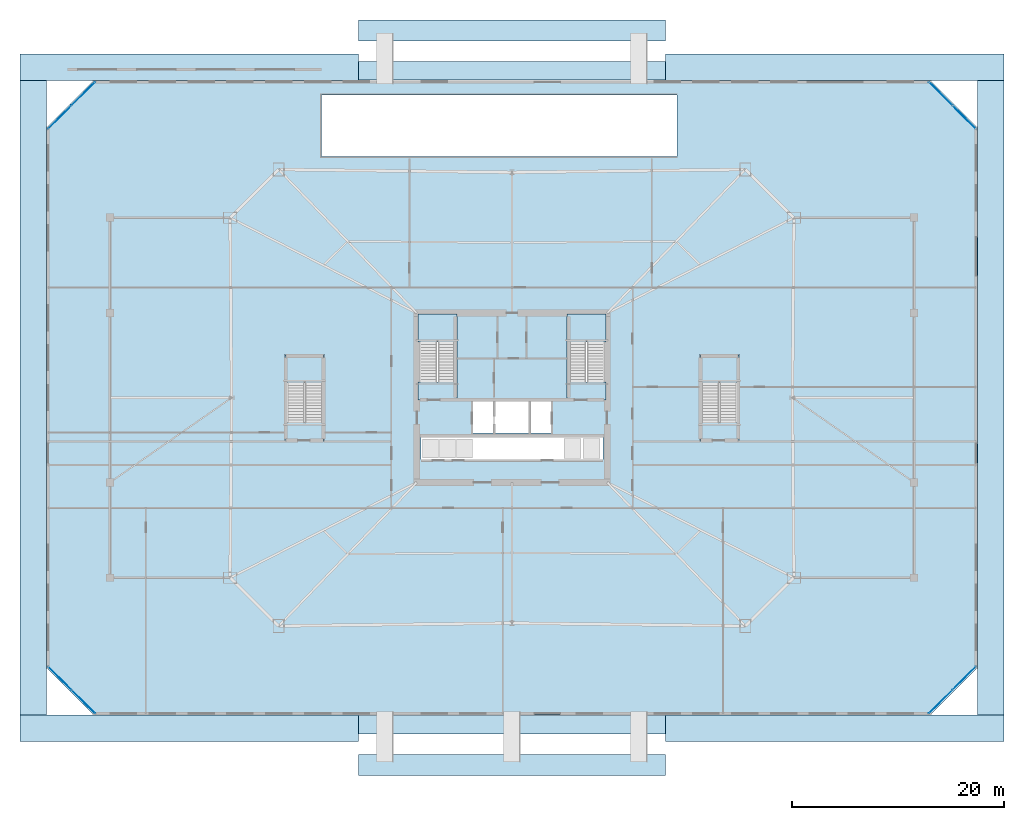
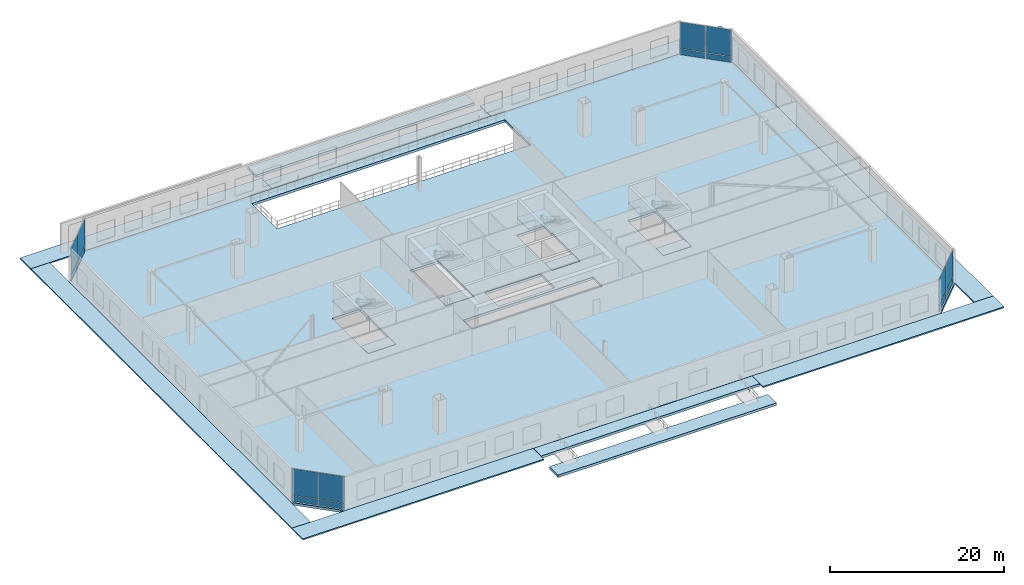
# One storey, part 11 of 23: 19 slabs, 16 plates, 8 elements without a shape of their own.
"""IFC4 building model written with IfcOpenShell, lengths in metres."""

from ifc_helpers import new_model, si_unit, direction, frame, origin, origin_2d, place, context, subcontext, project, spatial, polyline, rectangle, outline, extrude, material, layer, layer_set, type_object, element, aggregate, save


model = new_model("IFC4")

# Units and contexts
model_context = context("Model", 3, precision=1e-05, world=origin(), true_north=direction((0.0, 1.0)))
body_context = subcontext(model_context, "Body", "Model", "MODEL_VIEW")
ifc_project = project(units=[si_unit("LENGTHUNIT", "METRE"), si_unit("AREAUNIT", "SQUARE_METRE"), si_unit("VOLUMEUNIT", "CUBIC_METRE"), si_unit("PLANEANGLEUNIT", "RADIAN"), si_unit("MASSUNIT", "GRAM", prefix="KILO")], contexts=[model_context])

# Site, building, storey
site_placement = place(None, origin())
site = spatial("IfcSite", under=ifc_project, at=site_placement, CompositionType="ELEMENT")
building_placement = place(site_placement, origin())
building = spatial("IfcBuilding", under=site, at=building_placement, Name="Caelvoria Tower", CompositionType="ELEMENT")
storey_placement = place(building_placement, origin())
storey = spatial("IfcBuildingStorey", under=building, at=storey_placement, Name="L00", CompositionType="ELEMENT", Elevation=0.0)

# Curtain wall, plates
ifc_material_1 = material(Name="Anodised Bronze Aluminium and Low-E Glass", Category="aluminium")
ifc_layer_1 = layer(ifc_material_1, 0.199951171875, Name="Anodised Bronze Aluminium and Low-E Glass")
ifc_layer_set_1 = layer_set([ifc_layer_1], Name="CW System 1 Podium Arcade Unitised Glazing - Anodised Bronze Aluminium and Low-E Glass")
curtain_wall_type = type_object("IfcCurtainWallType", Name="CW System 1 Podium Arcade Unitised Glazing", PredefinedType="NOTDEFINED", material=ifc_layer_set_1)
curtain_wall_1_placement = place(storey_placement, origin())
curtain_wall_1 = element("IfcCurtainWall", 1, at=curtain_wall_1_placement, inside=storey, type_object=curtain_wall_type, Name="CW-01 Curtain Wall L00-E1", PredefinedType="NOTDEFINED")
ifc_material_2 = material(Name="Tinted Low-E Insulated Glazing Unit", Category="glass")
ifc_layer_2 = layer(ifc_material_2, 0.028076171875, Name="Tinted Low-E Insulated Glazing Unit")
ifc_layer_set_2 = layer_set([ifc_layer_2], Name="Double-Glazed Solar-Control Vision Panel 28 - Tinted Low-E Insulated Glazing Unit")
plate_type_1 = type_object("IfcPlateType", Name="Double-Glazed Solar-Control Vision Panel 28", PredefinedType="CURTAIN_PANEL", material=ifc_layer_set_2)
plate_1_placement = place(storey_placement, frame((86.510009765625, 3.2646484375, 0.9326171875), z_axis=(0.0, 0.0, 1.0), x_axis=(0.707106781187, 0.707106781187, 0.0)))
plate_1 = element("IfcPlate", 2, at=plate_1_placement, type_object=plate_type_1, Name="CW-01 panel 1.2", PredefinedType="CURTAIN_PANEL", context=body_context, shape_type="SweptSolid", body=[
    extrude(rectangle(XDim=3.076904296875, YDim=0.028076171875, at=origin_2d()), origin(), (0.0, 0.0, 1.0), 3.722412109375),
])
plate_2_placement = place(storey_placement, frame((88.7353515625, 5.489990234375, 0.9326171875), z_axis=(0.0, 0.0, 1.0), x_axis=(0.707106781187, 0.707106781187, 0.0)))
plate_2 = element("IfcPlate", 3, at=plate_2_placement, type_object=plate_type_1, Name="CW-01 panel 2.2", PredefinedType="CURTAIN_PANEL", context=body_context, shape_type="SweptSolid", body=[
    extrude(rectangle(XDim=3.076904296875, YDim=0.028076171875, at=origin_2d()), origin(), (0.0, 0.0, 1.0), 3.722412109375),
])

curtain_wall_2_placement = place(storey_placement, origin())
curtain_wall_2 = element("IfcCurtainWall", 4, at=curtain_wall_2_placement, inside=storey, type_object=curtain_wall_type, Name="CW-01 Curtain Wall L00-E3", PredefinedType="NOTDEFINED")
plate_3_placement = place(storey_placement, frame((88.7353515625, 58.510009765625, 0.9326171875), z_axis=(0.0, 0.0, 1.0), x_axis=(-0.707106781187, 0.707106781187, 0.0)))
plate_3 = element("IfcPlate", 5, at=plate_3_placement, type_object=plate_type_1, Name="CW-01 panel 1.2", PredefinedType="CURTAIN_PANEL", context=body_context, shape_type="SweptSolid", body=[
    extrude(rectangle(XDim=3.076904296875, YDim=0.028076171875, at=origin_2d()), origin(), (0.0, 0.0, 1.0), 3.722412109375),
])
plate_4_placement = place(storey_placement, frame((86.510009765625, 60.7353515625, 0.9326171875), z_axis=(0.0, 0.0, 1.0), x_axis=(-0.707106781187, 0.707106781187, 0.0)))
plate_4 = element("IfcPlate", 6, at=plate_4_placement, type_object=plate_type_1, Name="CW-01 panel 2.2", PredefinedType="CURTAIN_PANEL", context=body_context, shape_type="SweptSolid", body=[
    extrude(rectangle(XDim=3.076904296875, YDim=0.028076171875, at=origin_2d()), origin(), (0.0, 0.0, 1.0), 3.722412109375),
])

curtain_wall_3_placement = place(storey_placement, origin())
curtain_wall_3 = element("IfcCurtainWall", 7, at=curtain_wall_3_placement, inside=storey, type_object=curtain_wall_type, Name="CW-01 Curtain Wall L00-E5", PredefinedType="NOTDEFINED")
plate_5_placement = place(storey_placement, frame((5.489990234375, 60.7353515625, 0.9326171875), z_axis=(0.0, 0.0, 1.0), x_axis=(-0.707106781187, -0.707106781187, 0.0)))
plate_5 = element("IfcPlate", 8, at=plate_5_placement, type_object=plate_type_1, Name="CW-01 panel 1.2", PredefinedType="CURTAIN_PANEL", context=body_context, shape_type="SweptSolid", body=[
    extrude(rectangle(XDim=3.076904296875, YDim=0.028076171875, at=origin_2d()), origin(), (0.0, 0.0, 1.0), 3.722412109375),
])
plate_6_placement = place(storey_placement, frame((3.2646484375, 58.510009765625, 0.9326171875), z_axis=(0.0, 0.0, 1.0), x_axis=(-0.707106781187, -0.707106781187, 0.0)))
plate_6 = element("IfcPlate", 9, at=plate_6_placement, type_object=plate_type_1, Name="CW-01 panel 2.2", PredefinedType="CURTAIN_PANEL", context=body_context, shape_type="SweptSolid", body=[
    extrude(rectangle(XDim=3.076904296875, YDim=0.028076171875, at=origin_2d()), origin(), (0.0, 0.0, 1.0), 3.722412109375),
])

curtain_wall_4_placement = place(storey_placement, origin())
curtain_wall_4 = element("IfcCurtainWall", 10, at=curtain_wall_4_placement, inside=storey, type_object=curtain_wall_type, Name="CW-01 Curtain Wall L00-E7", PredefinedType="NOTDEFINED")
plate_7_placement = place(storey_placement, frame((3.2646484375, 5.489990234375, 0.9326171875), z_axis=(0.0, 0.0, 1.0), x_axis=(0.707106781187, -0.707106781187, 0.0)))
plate_7 = element("IfcPlate", 11, at=plate_7_placement, type_object=plate_type_1, Name="CW-01 panel 1.2", PredefinedType="CURTAIN_PANEL", context=body_context, shape_type="SweptSolid", body=[
    extrude(rectangle(XDim=3.076904296875, YDim=0.028076171875, at=origin_2d()), origin(), (0.0, 0.0, 1.0), 3.722412109375),
])
plate_8_placement = place(storey_placement, frame((5.489990234375, 3.2646484375, 0.9326171875), z_axis=(0.0, 0.0, 1.0), x_axis=(0.707106781187, -0.707106781187, 0.0)))
plate_8 = element("IfcPlate", 12, at=plate_8_placement, type_object=plate_type_1, Name="CW-01 panel 2.2", PredefinedType="CURTAIN_PANEL", context=body_context, shape_type="SweptSolid", body=[
    extrude(rectangle(XDim=3.076904296875, YDim=0.028076171875, at=origin_2d()), origin(), (0.0, 0.0, 1.0), 3.722412109375),
])

# Slabs
ifc_material_3 = material(Name="Concrete C40/50", Category="concrete")
ifc_layer_3 = layer(ifc_material_3, 0.35009765625, Name="Concrete C40/50")
ifc_layer_set_3 = layer_set([ifc_layer_3], Name="Ground Podium Plaza Slab 350 - Concrete C40/50")
slab_type_1 = type_object("IfcSlabType", Name="Ground Podium Plaza Slab 350", PredefinedType="FLOOR", material=ifc_layer_set_3)
slab_1_placement = place(storey_placement, frame((0.0, 0.0, -0.35009765625)))
element("IfcSlab", 13, at=slab_1_placement, inside=storey, type_object=slab_type_1, Name="Level L00 Structural Floor Slab", PredefinedType="FLOOR", context=body_context, shape_type="SweptSolid", body=[
    extrude(outline(polyline([(6.5, 2.0), (85.5, 2.0), (90.0, 6.5), (90.0, 57.5), (85.5, 62.0), (6.5, 62.0), (2.0, 57.5), (2.0, 6.5), (6.5, 2.0)]), holes=[polyline([(37.080078125, 31.75), (40.820068359375, 31.75), (40.820068359375, 39.919921875), (37.080078125, 39.919921875), (37.080078125, 31.75)]), polyline([(51.179931640625, 31.75), (54.919921875, 31.75), (54.919921875, 39.919921875), (51.179931640625, 39.919921875), (51.179931640625, 31.75)]), polyline([(42.25, 28.64990234375), (49.75, 28.64990234375), (49.75, 31.800048828125), (42.25, 31.800048828125), (42.25, 28.64990234375)]), polyline([(28.0, 54.800048828125), (61.60009765625, 54.800048828125), (61.60009765625, 60.60009765625), (28.0, 60.60009765625), (28.0, 54.800048828125)]), polyline([(24.52001953125, 27.89990234375), (28.280029296875, 27.89990234375), (28.280029296875, 36.080078125), (24.52001953125, 36.080078125), (24.52001953125, 27.89990234375)]), polyline([(63.719970703125, 27.89990234375), (67.47998046875, 27.89990234375), (67.47998046875, 36.080078125), (63.719970703125, 36.080078125), (63.719970703125, 27.89990234375)]), polyline([(37.39990234375, 26.14990234375), (54.60009765625, 26.14990234375), (54.60009765625, 28.25), (37.39990234375, 28.25), (37.39990234375, 26.14990234375)])]), origin(), (0.0, 0.0, 1.0), 0.35009765625),
])
slab_2_placement = place(storey_placement, frame((0.0, 0.0, -0.679931640625)))
element("IfcSlab", 14, at=slab_2_placement, inside=storey, type_object=slab_type_1, Name="Accessible Ramp Lower Landing Slab S", PredefinedType="FLOOR", context=body_context, shape_type="SweptSolid", body=[
    extrude(outline(polyline([(31.5, -3.699951171875), (60.5, -3.699951171875), (60.5, -1.699951171875), (31.5, -1.699951171875), (31.5, -3.699951171875)])), origin(), (0.0, 0.0, 1.0), 0.349853515625),
])
slab_3_placement = place(storey_placement, frame((0.0, 0.0, -0.35009765625)))
element("IfcSlab", 15, at=slab_3_placement, inside=storey, type_object=slab_type_1, Name="Plaza Entrance Threshold Slab S", PredefinedType="FLOOR", context=body_context, shape_type="SweptSolid", body=[
    extrude(outline(polyline([(31.5, 0.199951171875), (60.5, 0.199951171875), (60.5, 1.97998046875), (31.5, 1.97998046875), (31.5, 0.199951171875)])), origin(), (0.0, 0.0, 1.0), 0.35009765625),
])
slab_4_placement = place(storey_placement, frame((0.0, 0.0, -0.679931640625)))
element("IfcSlab", 16, at=slab_4_placement, inside=storey, type_object=slab_type_1, Name="Accessible Ramp Lower Landing Slab N", PredefinedType="FLOOR", context=body_context, shape_type="SweptSolid", body=[
    extrude(outline(polyline([(31.5, 65.699951171875), (60.5, 65.699951171875), (60.5, 67.699951171875), (31.5, 67.699951171875), (31.5, 65.699951171875)])), origin(), (0.0, 0.0, 1.0), 0.349853515625),
])
slab_5_placement = place(storey_placement, frame((0.0, 0.0, -0.35009765625)))
element("IfcSlab", 17, at=slab_5_placement, inside=storey, type_object=slab_type_1, Name="Plaza Entrance Threshold Slab N", PredefinedType="FLOOR", context=body_context, shape_type="SweptSolid", body=[
    extrude(outline(polyline([(31.5, 62.02001953125), (60.5, 62.02001953125), (60.5, 63.800048828125), (31.5, 63.800048828125), (31.5, 62.02001953125)])), origin(), (0.0, 0.0, 1.0), 0.35009765625),
])

# Plate
ifc_material_4 = material(Name="Anodised Bronze Insulated Aluminium Panel", Category="aluminium")
ifc_layer_4 = layer(ifc_material_4, 0.031982421875, Name="Anodised Bronze Insulated Aluminium Panel")
ifc_layer_set_4 = layer_set([ifc_layer_4], Name="Insulated Bronze Spandrel Curtain Panel 32 - Anodised Bronze Insulated Aluminium Panel")
plate_type_2 = type_object("IfcPlateType", Name="Insulated Bronze Spandrel Curtain Panel 32", PredefinedType="CURTAIN_PANEL", material=ifc_layer_set_4)
plate_9_placement = place(storey_placement, frame((86.510009765625, 3.2646484375, 0.06494140625), z_axis=(0.0, 0.0, 1.0), x_axis=(0.707106781187, 0.707106781187, 0.0)))
plate_9 = element("IfcPlate", 18, at=plate_9_placement, type_object=plate_type_2, Name="CW-01 panel 1.1", PredefinedType="CURTAIN_PANEL", context=body_context, shape_type="SweptSolid", body=[
    extrude(rectangle(XDim=3.076904296875, YDim=0.031982421875, at=origin_2d()), origin(), (0.0, 0.0, 1.0), 0.802490234375),
])

plate_10_placement = place(storey_placement, frame((88.7353515625, 5.489990234375, 0.06494140625), z_axis=(0.0, 0.0, 1.0), x_axis=(0.707106781187, 0.707106781187, 0.0)))
plate_10 = element("IfcPlate", 19, at=plate_10_placement, type_object=plate_type_2, Name="CW-01 panel 2.1", PredefinedType="CURTAIN_PANEL", context=body_context, shape_type="SweptSolid", body=[
    extrude(rectangle(XDim=3.076904296875, YDim=0.031982421875, at=origin_2d()), origin(), (0.0, 0.0, 1.0), 0.802490234375),
])

aggregate(curtain_wall_1, [plate_9, plate_1, plate_10, plate_2])

plate_11_placement = place(storey_placement, frame((88.7353515625, 58.510009765625, 0.06494140625), z_axis=(0.0, 0.0, 1.0), x_axis=(-0.707106781187, 0.707106781187, 0.0)))
plate_11 = element("IfcPlate", 20, at=plate_11_placement, type_object=plate_type_2, Name="CW-01 panel 1.1", PredefinedType="CURTAIN_PANEL", context=body_context, shape_type="SweptSolid", body=[
    extrude(rectangle(XDim=3.076904296875, YDim=0.031982421875, at=origin_2d()), origin(), (0.0, 0.0, 1.0), 0.802490234375),
])

plate_12_placement = place(storey_placement, frame((86.510009765625, 60.7353515625, 0.06494140625), z_axis=(0.0, 0.0, 1.0), x_axis=(-0.707106781187, 0.707106781187, 0.0)))
plate_12 = element("IfcPlate", 21, at=plate_12_placement, type_object=plate_type_2, Name="CW-01 panel 2.1", PredefinedType="CURTAIN_PANEL", context=body_context, shape_type="SweptSolid", body=[
    extrude(rectangle(XDim=3.076904296875, YDim=0.031982421875, at=origin_2d()), origin(), (0.0, 0.0, 1.0), 0.802490234375),
])

aggregate(curtain_wall_2, [plate_11, plate_3, plate_12, plate_4])

plate_13_placement = place(storey_placement, frame((5.489990234375, 60.7353515625, 0.06494140625), z_axis=(0.0, 0.0, 1.0), x_axis=(-0.707106781187, -0.707106781187, 0.0)))
plate_13 = element("IfcPlate", 22, at=plate_13_placement, type_object=plate_type_2, Name="CW-01 panel 1.1", PredefinedType="CURTAIN_PANEL", context=body_context, shape_type="SweptSolid", body=[
    extrude(rectangle(XDim=3.076904296875, YDim=0.031982421875, at=origin_2d()), origin(), (0.0, 0.0, 1.0), 0.802490234375),
])

plate_14_placement = place(storey_placement, frame((3.2646484375, 58.510009765625, 0.06494140625), z_axis=(0.0, 0.0, 1.0), x_axis=(-0.707106781187, -0.707106781187, 0.0)))
plate_14 = element("IfcPlate", 23, at=plate_14_placement, type_object=plate_type_2, Name="CW-01 panel 2.1", PredefinedType="CURTAIN_PANEL", context=body_context, shape_type="SweptSolid", body=[
    extrude(rectangle(XDim=3.076904296875, YDim=0.031982421875, at=origin_2d()), origin(), (0.0, 0.0, 1.0), 0.802490234375),
])

aggregate(curtain_wall_3, [plate_13, plate_5, plate_14, plate_6])

plate_15_placement = place(storey_placement, frame((3.2646484375, 5.489990234375, 0.06494140625), z_axis=(0.0, 0.0, 1.0), x_axis=(0.707106781187, -0.707106781187, 0.0)))
plate_15 = element("IfcPlate", 24, at=plate_15_placement, type_object=plate_type_2, Name="CW-01 panel 1.1", PredefinedType="CURTAIN_PANEL", context=body_context, shape_type="SweptSolid", body=[
    extrude(rectangle(XDim=3.076904296875, YDim=0.031982421875, at=origin_2d()), origin(), (0.0, 0.0, 1.0), 0.802490234375),
])

plate_16_placement = place(storey_placement, frame((5.489990234375, 3.2646484375, 0.06494140625), z_axis=(0.0, 0.0, 1.0), x_axis=(0.707106781187, -0.707106781187, 0.0)))
plate_16 = element("IfcPlate", 25, at=plate_16_placement, type_object=plate_type_2, Name="CW-01 panel 2.1", PredefinedType="CURTAIN_PANEL", context=body_context, shape_type="SweptSolid", body=[
    extrude(rectangle(XDim=3.076904296875, YDim=0.031982421875, at=origin_2d()), origin(), (0.0, 0.0, 1.0), 0.802490234375),
])

aggregate(curtain_wall_4, [plate_15, plate_7, plate_16, plate_8])

# Stair, slabs
stair_type = type_object("IfcStairType", Name="Core Smokeproof Dogleg Stair Concrete C40/50", PredefinedType="HALF_TURN_STAIR", material=ifc_material_3)
stair_1_placement = place(storey_placement, origin())
stair_1 = element("IfcStair", 26, at=stair_1_placement, inside=storey, type_object=stair_type, Name="ST-01 Smokeproof Exit Stair L00", PredefinedType="HALF_TURN_STAIR")
ifc_layer_5 = layer(ifc_material_3, 0.199951171875, Name="Concrete C40/50")
ifc_layer_set_5 = layer_set([ifc_layer_5], Name="Stair Half and Floor Landing Slab 200 Concrete C40/50 - Concrete C40/50")
slab_type_2 = type_object("IfcSlabType", Name="Stair Half and Floor Landing Slab 200 Concrete C40/50", PredefinedType="LANDING", material=ifc_layer_set_5)
slab_6_placement = place(storey_placement, frame((0.0, 0.0, -0.199951171875)))
slab_6 = element("IfcSlab", 27, at=slab_6_placement, type_object=slab_type_2, Name="ST-01 landing 1", PredefinedType="LANDING", context=body_context, shape_type="SweptSolid", body=[
    extrude(outline(polyline([(37.10009765625, 31.77001953125), (40.800048828125, 31.77001953125), (40.800048828125, 33.5), (37.10009765625, 33.5), (37.10009765625, 31.77001953125)])), origin(), (0.0, 0.0, 1.0), 0.199951171875),
])
slab_7_placement = place(storey_placement, frame((0.0, 0.0, 2.300048828125)))
slab_7 = element("IfcSlab", 28, at=slab_7_placement, type_object=slab_type_2, Name="ST-01 landing 2", PredefinedType="LANDING", context=body_context, shape_type="SweptSolid", body=[
    extrude(outline(polyline([(37.10009765625, 37.25), (40.800048828125, 37.25), (40.800048828125, 39.89990234375), (37.10009765625, 39.89990234375), (37.10009765625, 37.25)])), origin(), (0.0, 0.0, 1.0), 0.199951171875),
])
aggregate(stair_1, [slab_6, slab_7])

stair_2_placement = place(storey_placement, origin())
stair_2 = element("IfcStair", 29, at=stair_2_placement, inside=storey, type_object=stair_type, Name="ST-02 Smokeproof Exit Stair L00", PredefinedType="HALF_TURN_STAIR")
slab_8_placement = place(storey_placement, frame((0.0, 0.0, -0.199951171875)))
slab_8 = element("IfcSlab", 30, at=slab_8_placement, type_object=slab_type_2, Name="ST-02 landing 1", PredefinedType="LANDING", context=body_context, shape_type="SweptSolid", body=[
    extrude(outline(polyline([(51.199951171875, 31.77001953125), (54.89990234375, 31.77001953125), (54.89990234375, 33.5), (51.199951171875, 33.5), (51.199951171875, 31.77001953125)])), origin(), (0.0, 0.0, 1.0), 0.199951171875),
])
slab_9_placement = place(storey_placement, frame((0.0, 0.0, 2.300048828125)))
slab_9 = element("IfcSlab", 31, at=slab_9_placement, type_object=slab_type_2, Name="ST-02 landing 2", PredefinedType="LANDING", context=body_context, shape_type="SweptSolid", body=[
    extrude(outline(polyline([(51.199951171875, 37.25), (54.89990234375, 37.25), (54.89990234375, 39.89990234375), (51.199951171875, 39.89990234375), (51.199951171875, 37.25)])), origin(), (0.0, 0.0, 1.0), 0.199951171875),
])
aggregate(stair_2, [slab_8, slab_9])

stair_3_placement = place(storey_placement, origin())
stair_3 = element("IfcStair", 32, at=stair_3_placement, inside=storey, type_object=stair_type, Name="ST-03 Smokeproof Exit Stair L00", PredefinedType="HALF_TURN_STAIR")
slab_10_placement = place(storey_placement, frame((0.0, 0.0, -0.199951171875)))
slab_10 = element("IfcSlab", 33, at=slab_10_placement, type_object=slab_type_2, Name="ST-03 landing 1", PredefinedType="LANDING", context=body_context, shape_type="SweptSolid", body=[
    extrude(outline(polyline([(24.550048828125, 27.919921875), (28.25, 27.919921875), (28.25, 29.64990234375), (24.550048828125, 29.64990234375), (24.550048828125, 27.919921875)])), origin(), (0.0, 0.0, 1.0), 0.199951171875),
])
slab_11_placement = place(storey_placement, frame((0.0, 0.0, 2.300048828125)))
slab_11 = element("IfcSlab", 34, at=slab_11_placement, type_object=slab_type_2, Name="ST-03 landing 2", PredefinedType="LANDING", context=body_context, shape_type="SweptSolid", body=[
    extrude(outline(polyline([(24.550048828125, 33.39990234375), (28.25, 33.39990234375), (28.25, 36.050048828125), (24.550048828125, 36.050048828125), (24.550048828125, 33.39990234375)])), origin(), (0.0, 0.0, 1.0), 0.199951171875),
])
aggregate(stair_3, [slab_10, slab_11])

stair_4_placement = place(storey_placement, origin())
stair_4 = element("IfcStair", 35, at=stair_4_placement, inside=storey, type_object=stair_type, Name="ST-04 Smokeproof Exit Stair L00", PredefinedType="HALF_TURN_STAIR")
slab_12_placement = place(storey_placement, frame((0.0, 0.0, -0.199951171875)))
slab_12 = element("IfcSlab", 36, at=slab_12_placement, type_object=slab_type_2, Name="ST-04 landing 1", PredefinedType="LANDING", context=body_context, shape_type="SweptSolid", body=[
    extrude(outline(polyline([(63.75, 27.919921875), (67.449951171875, 27.919921875), (67.449951171875, 29.64990234375), (63.75, 29.64990234375), (63.75, 27.919921875)])), origin(), (0.0, 0.0, 1.0), 0.199951171875),
])
slab_13_placement = place(storey_placement, frame((0.0, 0.0, 2.300048828125)))
slab_13 = element("IfcSlab", 37, at=slab_13_placement, type_object=slab_type_2, Name="ST-04 landing 2", PredefinedType="LANDING", context=body_context, shape_type="SweptSolid", body=[
    extrude(outline(polyline([(63.75, 33.39990234375), (67.449951171875, 33.39990234375), (67.449951171875, 36.050048828125), (63.75, 36.050048828125), (63.75, 33.39990234375)])), origin(), (0.0, 0.0, 1.0), 0.199951171875),
])
aggregate(stair_4, [slab_12, slab_13])

# Slabs
ifc_material_5 = material(Name="Andean Basalt Stone over Concrete C30/37 Sub-Base", Category="masonry")
ifc_layer_6 = layer(ifc_material_5, 0.179931640625, Name="Andean Basalt Stone over Concrete C30/37 Sub-Base")
ifc_layer_set_6 = layer_set([ifc_layer_6], Name="Street Plaza Basalt Stone Paving Slab 180 - Andean Basalt Stone over Concrete C30/37 Sub-Base")
slab_type_3 = type_object("IfcSlabType", Name="Street Plaza Basalt Stone Paving Slab 180", PredefinedType="USERDEFINED", material=ifc_layer_set_6)
slab_14_placement = place(storey_placement, frame((0.0, 0.0, -0.179931640625)))
element("IfcSlab", 38, at=slab_14_placement, inside=storey, type_object=slab_type_3, Name="Street Forecourt Paving PV-SOUTH-W", ObjectType="PAVING", PredefinedType="USERDEFINED", context=body_context, shape_type="SweptSolid", body=[
    extrude(outline(polyline([(-0.5, -0.5), (31.47998046875, -0.5), (31.47998046875, 2.0), (-0.5, 2.0), (-0.5, -0.5)])), origin(), (0.0, 0.0, 1.0), 0.179931640625),
])
slab_15_placement = place(storey_placement, frame((0.0, 0.0, -0.179931640625)))
element("IfcSlab", 39, at=slab_15_placement, inside=storey, type_object=slab_type_3, Name="Street Forecourt Paving PV-SOUTH-E", ObjectType="PAVING", PredefinedType="USERDEFINED", context=body_context, shape_type="SweptSolid", body=[
    extrude(outline(polyline([(60.52001953125, -0.5), (92.5, -0.5), (92.5, 2.0), (60.52001953125, 2.0), (60.52001953125, -0.5)])), origin(), (0.0, 0.0, 1.0), 0.179931640625),
])
slab_16_placement = place(storey_placement, frame((0.0, 0.0, -0.179931640625)))
element("IfcSlab", 40, at=slab_16_placement, inside=storey, type_object=slab_type_3, Name="Street Forecourt Paving PV-NORTH-W", ObjectType="PAVING", PredefinedType="USERDEFINED", context=body_context, shape_type="SweptSolid", body=[
    extrude(outline(polyline([(-0.5, 62.0), (31.47998046875, 62.0), (31.47998046875, 64.5), (-0.5, 64.5), (-0.5, 62.0)])), origin(), (0.0, 0.0, 1.0), 0.179931640625),
])
slab_17_placement = place(storey_placement, frame((0.0, 0.0, -0.179931640625)))
element("IfcSlab", 41, at=slab_17_placement, inside=storey, type_object=slab_type_3, Name="Street Forecourt Paving PV-NORTH-E", ObjectType="PAVING", PredefinedType="USERDEFINED", context=body_context, shape_type="SweptSolid", body=[
    extrude(outline(polyline([(60.52001953125, 62.0), (92.5, 62.0), (92.5, 64.5), (60.52001953125, 64.5), (60.52001953125, 62.0)])), origin(), (0.0, 0.0, 1.0), 0.179931640625),
])
slab_18_placement = place(storey_placement, frame((0.0, 0.0, -0.179931640625)))
element("IfcSlab", 42, at=slab_18_placement, inside=storey, type_object=slab_type_3, Name="Street Forecourt Paving PV-WEST-PLZ", ObjectType="PAVING", PredefinedType="USERDEFINED", context=body_context, shape_type="SweptSolid", body=[
    extrude(outline(polyline([(-0.5, 2.0), (2.0, 2.0), (2.0, 62.0), (-0.5, 62.0), (-0.5, 2.0)])), origin(), (0.0, 0.0, 1.0), 0.179931640625),
])
slab_19_placement = place(storey_placement, frame((0.0, 0.0, -0.179931640625)))
element("IfcSlab", 43, at=slab_19_placement, inside=storey, type_object=slab_type_3, Name="Street Forecourt Paving PV-EAST-PLZ", ObjectType="PAVING", PredefinedType="USERDEFINED", context=body_context, shape_type="SweptSolid", body=[
    extrude(outline(polyline([(90.0, 2.0), (92.5, 2.0), (92.5, 62.0), (90.0, 62.0), (90.0, 2.0)])), origin(), (0.0, 0.0, 1.0), 0.179931640625),
])

save(model, "model.ifc")
